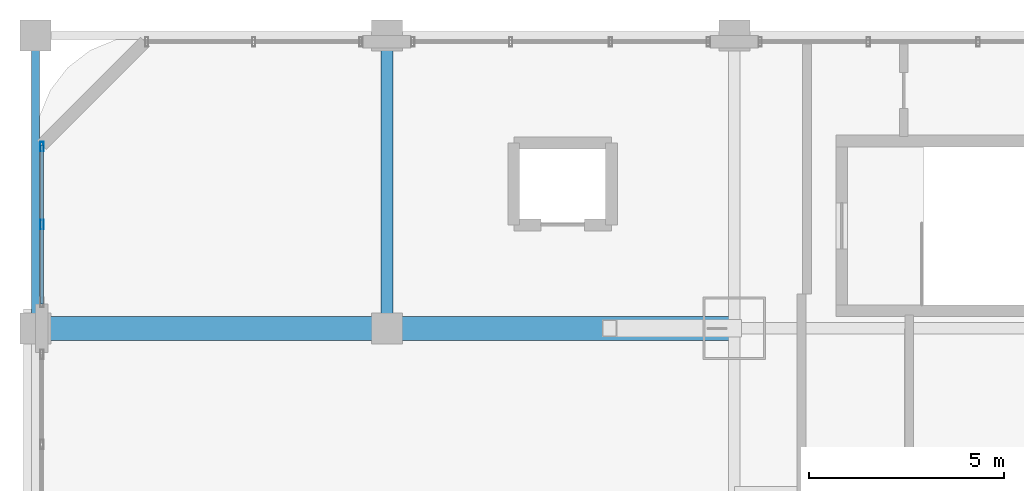
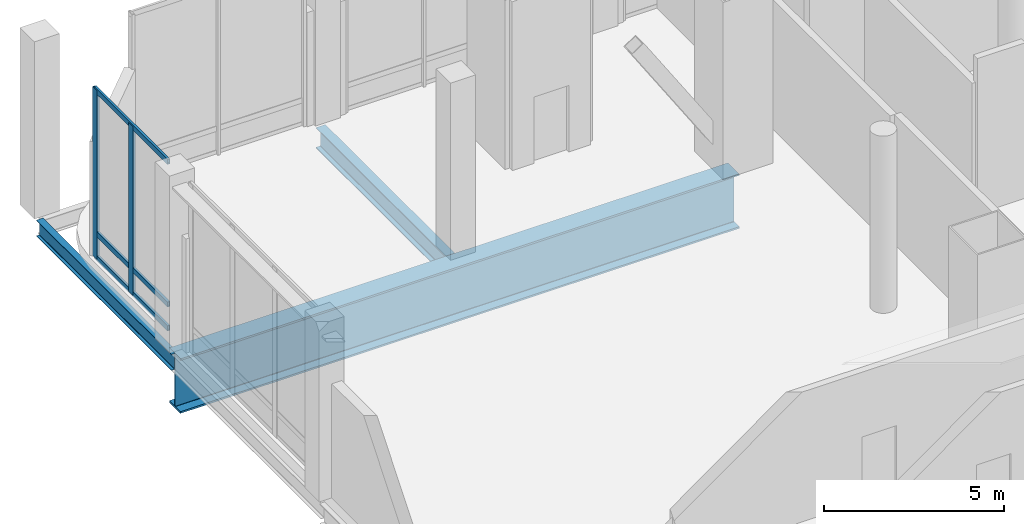
# One storey, part 11 of 38: 5 members, 3 beams, 1 element without a shape of its own.
"""IFC4 building model written with IfcOpenShell, lengths in metres."""

from ifc_helpers import new_model, si_unit, direction, frame, origin, origin_2d, place, context, subcontext, project, spatial, hollow_rectangle, i_section, extrude, material, material_profile, profile_set, type_object, element, aggregate, save


model = new_model("IFC4")

# Units and contexts
model_context = context("Model", 3, precision=1e-05, world=origin(), true_north=direction((0.0, 1.0)))
body_context = subcontext(model_context, "Body", "Model", "MODEL_VIEW")
ifc_project = project(units=[si_unit("LENGTHUNIT", "METRE"), si_unit("AREAUNIT", "SQUARE_METRE"), si_unit("VOLUMEUNIT", "CUBIC_METRE"), si_unit("PLANEANGLEUNIT", "RADIAN"), si_unit("MASSUNIT", "GRAM", prefix="KILO")], contexts=[model_context])

# Site, building, storey
site_placement = place(None, origin())
site = spatial("IfcSite", under=ifc_project, at=site_placement, CompositionType="ELEMENT")
building_placement = place(site_placement, origin())
building = spatial("IfcBuilding", under=site, at=building_placement, Name="Punatoya Terracotta Tower", CompositionType="ELEMENT")
storey_placement = place(building_placement, frame((0.0, 0.0, 22.199951171875)))
storey = spatial("IfcBuildingStorey", under=building, at=storey_placement, Name="L04", CompositionType="ELEMENT", Elevation=22.199951171875)

# Beams
ifc_material_1 = material(Name="Steel S355", Category="steel")
ifc_material_profile_1 = material_profile(ifc_material_1, i_section(OverallWidth=0.300048828125, OverallDepth=0.699951171875, WebThickness=0.01708984375, FlangeThickness=0.031982421875, FilletRadius=0.01806640625, at=origin_2d()))
ifc_profile_set_1 = profile_set([ifc_material_profile_1], Name="Steel S355")
beam_type_1 = type_object("IfcBeamType", Name="BM-PRI-700", PredefinedType="BEAM", material=ifc_profile_set_1)
beam_1_placement = place(storey_placement, frame((-28.0, 17.5, -0.72998046875), z_axis=(0.0, 1.0, 0.0), x_axis=(-1.0, 0.0, 0.0)))
element("IfcBeam", 1, at=beam_1_placement, inside=storey, type_object=beam_type_1, Name="BM-L04-X28W-17", PredefinedType="BEAM", context=body_context, shape_type="SweptSolid", body=[
    extrude(i_section(OverallWidth=0.300048828125, OverallDepth=0.699951171875, WebThickness=0.01708984375, FlangeThickness=0.031982421875, FilletRadius=0.01806640625, at=origin_2d()), origin(), (0.0, 0.0, 1.0), 7.5),
])
ifc_material_profile_2 = material_profile(ifc_material_1, i_section(OverallWidth=0.2099609375, OverallDepth=0.550048828125, WebThickness=0.010986328125, FlangeThickness=0.01708984375, FilletRadius=0.01806640625, at=origin_2d()))
ifc_profile_set_2 = profile_set([ifc_material_profile_2], Name="Steel S355")
beam_type_2 = type_object("IfcBeamType", Name="BM-SPN-550", PredefinedType="SPANDREL", material=ifc_profile_set_2)
beam_2_placement = place(storey_placement, frame((-37.0, 17.5, -0.655029296875), z_axis=(0.0, 1.0, 0.0), x_axis=(-1.0, 0.0, 0.0)))
element("IfcBeam", 2, at=beam_2_placement, inside=storey, type_object=beam_type_2, Name="BM-L04-X37W-17", PredefinedType="SPANDREL", context=body_context, shape_type="SweptSolid", body=[
    extrude(i_section(OverallWidth=0.2099609375, OverallDepth=0.550048828125, WebThickness=0.010986328125, FlangeThickness=0.01708984375, FilletRadius=0.01806640625, at=origin_2d()), origin(), (0.0, 0.0, 1.0), 7.5),
])
ifc_material_2 = material(Name="Steel S460", Category="steel")
ifc_material_profile_3 = material_profile(ifc_material_2, i_section(OverallWidth=0.6201171875, OverallDepth=1.85009765625, WebThickness=0.0400390625, FlangeThickness=0.06005859375, FilletRadius=0.01806640625, at=origin_2d()))
ifc_profile_set_3 = profile_set([ifc_material_profile_3], Name="Steel S460")
beam_type_3 = type_object("IfcBeamType", Name="BM-TG-AUD", PredefinedType="BEAM", material=ifc_profile_set_3)
beam_3_placement = place(storey_placement, frame((-37.0, 17.5, -1.304931640625), z_axis=(1.0, 0.0, 0.0), x_axis=(0.0, 1.0, 0.0)))
element("IfcBeam", 3, at=beam_3_placement, inside=storey, type_object=beam_type_3, Name="L04 Auditorium Transfer Girder TG-01 (G)", PredefinedType="BEAM", context=body_context, shape_type="SweptSolid", body=[
    extrude(i_section(OverallWidth=0.6201171875, OverallDepth=1.85009765625, WebThickness=0.0400390625, FlangeThickness=0.06005859375, FilletRadius=0.01806640625, at=origin_2d()), origin(), (0.0, 0.0, 1.0), 17.89990234375),
])

# Curtain wall, members
ifc_material_3 = material(Name="Aluminium 6063-T6 + Double Low-E Glass", Category="aluminium")
curtain_wall_type = type_object("IfcCurtainWallType", Name="CW-POD", PredefinedType="NOTDEFINED", material=ifc_material_3)
curtain_wall_placement = place(storey_placement, origin())
curtain_wall = element("IfcCurtainWall", 4, at=curtain_wall_placement, inside=storey, type_object=curtain_wall_type, Name="L04 Curtain Wall CWP-L04-W4", PredefinedType="NOTDEFINED")
ifc_material_4 = material(Name="Aluminium 6063-T6", Category="aluminium")
ifc_material_profile_4 = material_profile(ifc_material_4, hollow_rectangle(XDim=0.0849609375, YDim=0.239990234375, WallThickness=0.0048828125, at=origin_2d()))
ifc_profile_set_4 = profile_set([ifc_material_profile_4], Name="Aluminium 6063-T6")
member_type_1 = type_object("IfcMemberType", Name="CW-MUL-POD", PredefinedType="MULLION", material=ifc_profile_set_4)
member_1_placement = place(storey_placement, frame((-36.840087890625, 20.159912109375, 0.0), z_axis=(0.0, 0.0, 1.0), x_axis=(1.0, 0.0, 0.0)))
member_1 = element("IfcMember", 5, at=member_1_placement, type_object=member_type_1, Name="CWP-L04-W4 Mullion 01", PredefinedType="MULLION", context=body_context, shape_type="SweptSolid", body=[
    extrude(hollow_rectangle(XDim=0.0849609375, YDim=0.239990234375, WallThickness=0.0048828125, at=origin_2d()), origin(), (0.0, 0.0, 1.0), 5.719970703125),
])
member_2_placement = place(storey_placement, frame((-36.840087890625, 22.155029296875, 0.0), z_axis=(0.0, 0.0, 1.0), x_axis=(1.0, 0.0, 0.0)))
member_2 = element("IfcMember", 6, at=member_2_placement, type_object=member_type_1, Name="CWP-L04-W4 Mullion 02", PredefinedType="MULLION", context=body_context, shape_type="SweptSolid", body=[
    extrude(hollow_rectangle(XDim=0.0849609375, YDim=0.239990234375, WallThickness=0.0048828125, at=origin_2d()), origin(), (0.0, 0.0, 1.0), 5.719970703125),
])
ifc_material_profile_5 = material_profile(ifc_material_4, hollow_rectangle(XDim=0.074951171875, YDim=0.175048828125, WallThickness=0.00439453125, at=origin_2d()))
ifc_profile_set_5 = profile_set([ifc_material_profile_5], Name="Aluminium 6063-T6")
member_type_2 = type_object("IfcMemberType", Name="CW-TRN-POD", PredefinedType="USERDEFINED", material=ifc_profile_set_5)
member_3_placement = place(storey_placement, frame((-36.840087890625, 18.1201171875, 0.0400390625), z_axis=(0.0, 1.0, 0.0), x_axis=(-1.0, 0.0, 0.0)))
member_3 = element("IfcMember", 7, at=member_3_placement, type_object=member_type_2, Name="CWP-L04-W4 Transom 1", ObjectType="TRANSOM", PredefinedType="USERDEFINED", context=body_context, shape_type="SweptSolid", body=[
    extrude(hollow_rectangle(XDim=0.074951171875, YDim=0.175048828125, WallThickness=0.00439453125, at=origin_2d()), origin(), (0.0, 0.0, 1.0), 4.079833984375),
])
member_4_placement = place(storey_placement, frame((-36.840087890625, 18.1201171875, 0.85009765625), z_axis=(0.0, 1.0, 0.0), x_axis=(-1.0, 0.0, 0.0)))
member_4 = element("IfcMember", 8, at=member_4_placement, type_object=member_type_2, Name="CWP-L04-W4 Transom 2", ObjectType="TRANSOM", PredefinedType="USERDEFINED", context=body_context, shape_type="SweptSolid", body=[
    extrude(hollow_rectangle(XDim=0.074951171875, YDim=0.175048828125, WallThickness=0.00439453125, at=origin_2d()), origin(), (0.0, 0.0, 1.0), 4.079833984375),
])
member_5_placement = place(storey_placement, frame((-36.840087890625, 18.1201171875, 5.679931640625), z_axis=(0.0, 1.0, 0.0), x_axis=(-1.0, 0.0, 0.0)))
member_5 = element("IfcMember", 9, at=member_5_placement, type_object=member_type_2, Name="CWP-L04-W4 Transom 3", ObjectType="TRANSOM", PredefinedType="USERDEFINED", context=body_context, shape_type="SweptSolid", body=[
    extrude(hollow_rectangle(XDim=0.074951171875, YDim=0.175048828125, WallThickness=0.00439453125, at=origin_2d()), origin(), (0.0, 0.0, 1.0), 4.079833984375),
])
aggregate(curtain_wall, [member_1, member_2, member_3, member_4, member_5])

save(model, "model.ifc")
